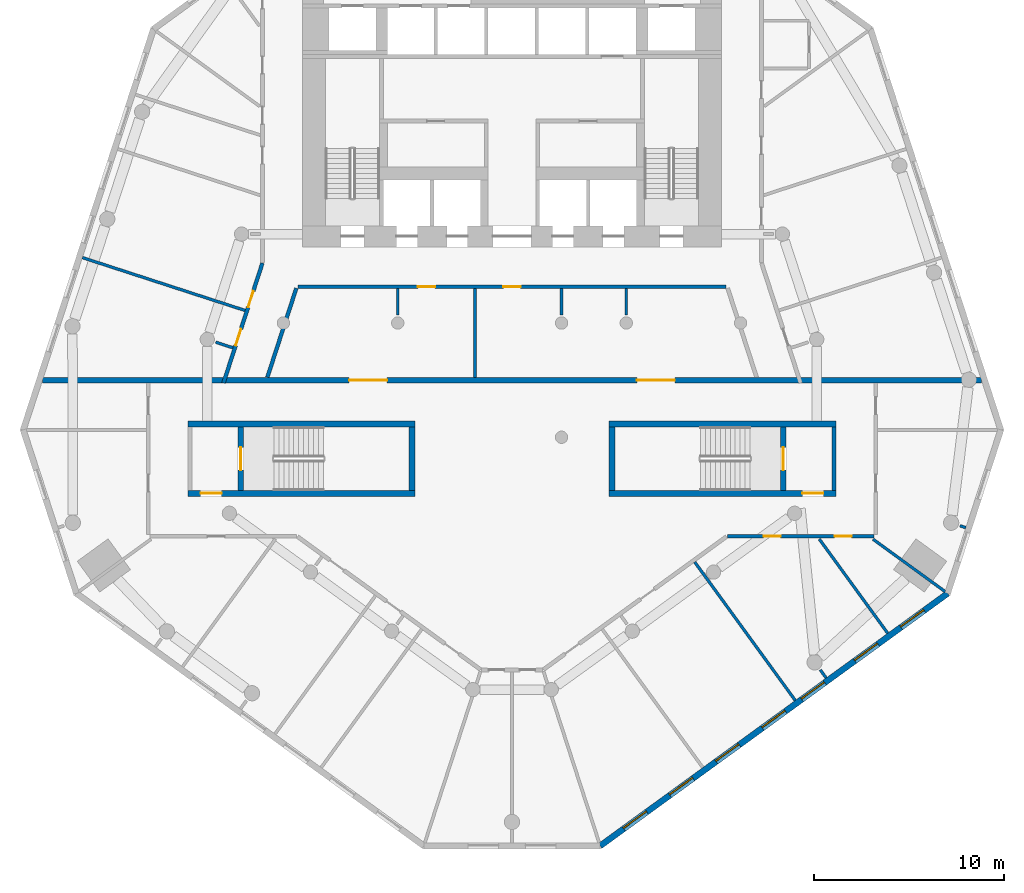
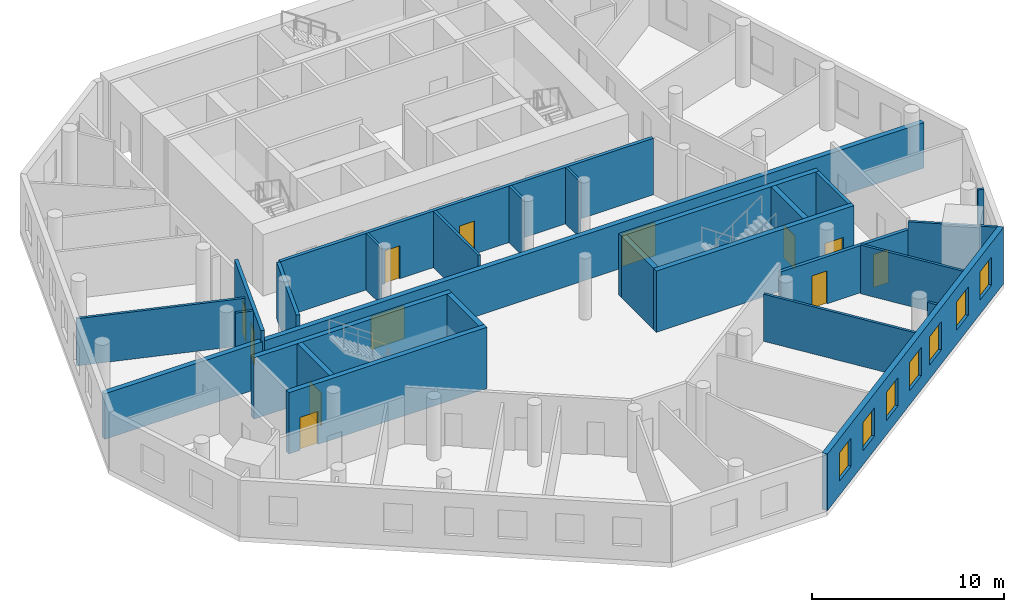
# One storey, part 3 of 9: 26 walls, 12 doors, 7 windows, 19 openings.
"""IFC4 building model written with IfcOpenShell, lengths in metres."""

import ifcopenshell
import ifcopenshell.guid

model = None  # the IFC model being written
_history = None  # IfcOwnerHistory: only IFC2X3 demands one
_inside = {}  # id of a spatial element -> (the spatial element, [elements in it])
_under = {}  # id of a project, library or spatial element -> (it, [spatial elements below it])
_declared = {}  # id of a project -> (the project, [libraries it declares])
_typed = {}  # id of a type object -> (the type object, [elements of that type])
_made_of = {}  # id of a material, layer set ... -> (it, [elements and type objects made of it])


def new_model(schema):
    """Start an empty IFC model of exactly this schema.

    Asked for "IFC4X3", IfcOpenShell would pick the latest addendum, in which some entities
    have other attributes; the version numbers below select the first issue.
    IFC2X3 requires an IfcOwnerHistory on every rooted entity: one is made here for all.
    """
    global model, _history
    if schema == "IFC4X3":
        model = ifcopenshell.file(schema_version=(4, 3, 0, 0))
    else:
        model = ifcopenshell.file(schema=schema)
    _inside.clear()
    _under.clear()
    _declared.clear()
    _typed.clear()
    _made_of.clear()
    _history = None
    if model.schema == "IFC2X3":
        org = make("IfcOrganization", Name="unknown")
        user = make(
            "IfcPersonAndOrganization",
            ThePerson=make("IfcPerson", FamilyName="unknown"),
            TheOrganization=org,
        )
        app = make(
            "IfcApplication",
            ApplicationDeveloper=org,
            Version="unknown",
            ApplicationFullName="unknown",
            ApplicationIdentifier="unknown",
        )
        _history = make(
            "IfcOwnerHistory",
            OwningUser=user,
            OwningApplication=app,
            ChangeAction="ADDED",
            CreationDate=0,
        )
    return model


def make(cls, **values):
    """One entity of the class cls with the attributes given. An attribute that is None is left unset."""
    return model.create_entity(
        cls, **{name: value for name, value in values.items() if value is not None}
    )


def rooted(cls, **values):
    """An entity with a GlobalId (a new one), such as an element, a storey or a relation."""
    return make(cls, GlobalId=ifcopenshell.guid.new(), OwnerHistory=_history, **values)


def si_unit(unit_type, name, prefix=None):
    """IfcSIUnit, for example si_unit("LENGTHUNIT", "METRE", prefix="MILLI")."""
    return make("IfcSIUnit", UnitType=unit_type, Prefix=prefix, Name=name)


def assignment(units):
    """IfcUnitAssignment: the units of a project."""
    return None if units is None else make("IfcUnitAssignment", Units=units)


def point(xyz):
    """IfcCartesianPoint."""
    return None if xyz is None else make("IfcCartesianPoint", Coordinates=xyz)


def direction(xyz):
    """IfcDirection."""
    return None if xyz is None else make("IfcDirection", DirectionRatios=xyz)


def frame(location, z_axis=None, x_axis=None):
    """IfcAxis2Placement3D, a coordinate frame: its origin and axes. An axis left out is left unset."""
    return make(
        "IfcAxis2Placement3D",
        Location=point(location),
        Axis=direction(z_axis),
        RefDirection=direction(x_axis),
    )


def frame_2d(location, x_axis=None):
    """IfcAxis2Placement2D, a coordinate frame in the plane: its origin and x axis."""
    return make(
        "IfcAxis2Placement2D", Location=point(location), RefDirection=direction(x_axis)
    )


def origin():
    """The frame at (0, 0, 0) with its axes left unset."""
    return frame((0.0, 0.0, 0.0))


def place(relative_to, where):
    """IfcLocalPlacement: puts the frame where relative to a parent placement (None: the world)."""
    return make(
        "IfcLocalPlacement", PlacementRelTo=relative_to, RelativePlacement=where
    )


def context(
    kind, dimensions, precision=None, world=None, true_north=None, identifier=None
):
    """IfcGeometricRepresentationContext, for example the 3D "Model" context."""
    return make(
        "IfcGeometricRepresentationContext",
        ContextIdentifier=identifier,
        ContextType=kind,
        CoordinateSpaceDimension=dimensions,
        Precision=precision,
        WorldCoordinateSystem=world,
        TrueNorth=true_north,
    )


def subcontext(parent, identifier, kind, view, scale=None):
    """IfcGeometricRepresentationSubContext, for example "Body" below "Model"."""
    return make(
        "IfcGeometricRepresentationSubContext",
        ContextIdentifier=identifier,
        ContextType=kind,
        ParentContext=parent,
        TargetScale=scale,
        TargetView=view,
    )


def project(units=None, contexts=None):
    """IfcProject with its units and contexts."""
    return rooted(
        "IfcProject",
        Name="project",
        RepresentationContexts=contexts,
        UnitsInContext=assignment(units),
    )


def spatial(cls, under=None, at=None, **own):
    """A site, building, storey or space (cls), placed at a placement, below another one or the project."""
    s = rooted(cls, ObjectPlacement=at, **own)
    if under is not None:
        _under.setdefault(under.id(), (under, []))[1].append(s)
    return s


def profile(cls, at=None, kind="AREA", **sizes):
    """A parametric profile (cls). Its sizes go by their IFC names, for example OverallWidth=200.0."""
    return make(cls, ProfileType=kind, Position=at, **sizes)


def rectangle(**sizes):
    """IfcRectangleProfileDef."""
    return profile("IfcRectangleProfileDef", **sizes)


def extrude(swept, where, along, depth):
    """IfcExtrudedAreaSolid: the profile swept, set in the frame where, extruded along a direction by depth."""
    return make(
        "IfcExtrudedAreaSolid",
        SweptArea=swept,
        Position=where,
        ExtrudedDirection=direction(along),
        Depth=depth,
    )


def shape(context_of_items, identifier, shape_type, items):
    """IfcShapeRepresentation: the items that make up one representation, for example the "Body"."""
    return make(
        "IfcShapeRepresentation",
        ContextOfItems=context_of_items,
        RepresentationIdentifier=identifier,
        RepresentationType=shape_type,
        Items=items,
    )


def material(Name=None, Category=None):
    """IfcMaterial."""
    return make("IfcMaterial", Name=Name, Category=Category)


def layer(
    of_material, thickness, ventilated=None, Name=None, Category=None, Priority=None
):
    """IfcMaterialLayer: one layer of a wall or slab, of a material (None: an air gap)."""
    return make(
        "IfcMaterialLayer",
        Material=of_material,
        LayerThickness=thickness,
        IsVentilated=ventilated,
        Name=Name,
        Category=Category,
        Priority=Priority,
    )


def layer_set(layers, Name=None):
    """IfcMaterialLayerSet."""
    return make("IfcMaterialLayerSet", MaterialLayers=layers, LayerSetName=Name)


def made_of(thing, what):
    """Note that an element or type object is made of a material, layer set ...; save() writes the relation."""
    if what is not None:
        _made_of.setdefault(what.id(), (what, []))[1].append(thing)
    return thing


def type_object(cls, material=None, **own):
    """A type object (cls), such as IfcWallType, which elements share."""
    return made_of(rooted(cls, **own), material)


def element(
    cls,
    number,
    at=None,
    inside=None,
    cuts=None,
    type_object=None,
    material=None,
    context=None,
    identifier="Body",
    shape_type=None,
    held_by="IfcProductDefinitionShape",
    body=None,
    shapes=None,
    **own,
):
    """One element of the class cls, such as IfcWall. Its Tag is "e" and its number.

    at: its placement. inside: the storey or other place that contains it. cuts: it is an
    opening in that element (IfcRelVoidsElement). A single representation is given by context,
    identifier, shape_type and body (its items); several are given by shapes. held_by: the class
    of the entity that holds the representations. save() writes the other relations.
    """
    e = rooted(cls, Tag="e%d" % number, ObjectPlacement=at, **own)
    if body is not None:
        shapes = [shape(context, identifier, shape_type, body)]
    if shapes is not None:
        e.Representation = make(held_by, Representations=shapes)
    if inside is not None:
        _inside.setdefault(inside.id(), (inside, []))[1].append(e)
    if cuts is not None:
        rooted(
            "IfcRelVoidsElement", RelatingBuildingElement=cuts, RelatedOpeningElement=e
        )
    if type_object is not None:
        _typed.setdefault(type_object.id(), (type_object, []))[1].append(e)
    return made_of(e, material)


def fill(opening, filler):
    """IfcRelFillsElement: the door or window that sits in an opening."""
    return rooted(
        "IfcRelFillsElement",
        RelatingOpeningElement=opening,
        RelatedBuildingElement=filler,
    )


def aggregate(whole, parts):
    """IfcRelAggregates: a whole, such as a stair, and the parts it consists of."""
    return rooted("IfcRelAggregates", RelatingObject=whole, RelatedObjects=parts)


def save(model, path):
    """Write the relations noted so far, then the file.

    IfcRelAggregates (storeys below a building ...), IfcRelContainedInSpatialStructure (elements
    in a storey), IfcRelDefinesByType, IfcRelAssociatesMaterial and IfcRelDeclares: one each for
    every whole, place, type object, material and project.
    """
    for whole, parts in _under.values():
        aggregate(whole, parts)
    for where, things in _inside.values():
        rooted(
            "IfcRelContainedInSpatialStructure",
            RelatedElements=things,
            RelatingStructure=where,
        )
    for kind, things in _typed.values():
        rooted("IfcRelDefinesByType", RelatedObjects=things, RelatingType=kind)
    for what, things in _made_of.values():
        rooted("IfcRelAssociatesMaterial", RelatedObjects=things, RelatingMaterial=what)
    for by, libraries in _declared.values():
        rooted("IfcRelDeclares", RelatingContext=by, RelatedDefinitions=libraries)
    model.write(path)


model = new_model("IFC4")

# Units and contexts
model_context = context("Model", 3, precision=1e-05, world=origin(), true_north=direction((0.0, 1.0)))
body_context = subcontext(model_context, "Body", "Model", "MODEL_VIEW")
ifc_project = project(units=[si_unit("LENGTHUNIT", "METRE"), si_unit("AREAUNIT", "SQUARE_METRE"), si_unit("VOLUMEUNIT", "CUBIC_METRE"), si_unit("PLANEANGLEUNIT", "RADIAN"), si_unit("MASSUNIT", "GRAM", prefix="KILO")], contexts=[model_context])

# Site, building, storey
site_placement = place(None, origin())
site = spatial("IfcSite", under=ifc_project, at=site_placement, CompositionType="ELEMENT")
building_placement = place(site_placement, origin())
building = spatial("IfcBuilding", under=site, at=building_placement, Name="White Candle Pilgrim Tower", CompositionType="ELEMENT")
storey_placement = place(building_placement, frame((0.0, 0.0, 106.39990234375)))
storey = spatial("IfcBuildingStorey", under=building, at=storey_placement, Name="L23", CompositionType="ELEMENT", Elevation=106.39990234375)

# Wall
ifc_material_1 = material(Name="Concrete C60/75", Category="concrete")
ifc_layer_1 = layer(ifc_material_1, 0.199951171875)
ifc_layer_set_1 = layer_set([ifc_layer_1], Name="Core wall 200 mm Concrete C60/75")
wall_type_1 = type_object("IfcWallType", Name="Core wall 200 mm Concrete C60/75", PredefinedType="SHEAR", material=ifc_layer_set_1)
wall_1_placement = place(storey_placement, frame((86.89990234375, 58.199951171875, 0.0), z_axis=(0.0, 0.0, 1.0), x_axis=(0.0, 1.0, 0.0)))
element("IfcWall", 1, at=wall_1_placement, inside=storey, type_object=wall_type_1, Name="WL-L23-C08", PredefinedType="SHEAR", context=body_context, shape_type="SweptSolid", body=[
    extrude(rectangle(XDim=3.35009765625, YDim=0.199951171875, at=frame_2d((1.675048828125, 0.0))), origin(), (0.0, 0.0, 1.0), 3.900146484375),
])

# Wall, openings, doors
ifc_material_2 = material(Name="Gypsum board on steel studs", Category="steel")
ifc_layer_2 = layer(ifc_material_2, 0.199951171875)
ifc_layer_set_2 = layer_set([ifc_layer_2], Name="Corridor wall 200 mm EI 45")
wall_type_2 = type_object("IfcWallType", Name="Corridor wall 200 mm EI 45", PredefinedType="PARTITIONING", material=ifc_layer_set_2)
wall_2_placement = place(storey_placement, frame((54.850341796875, 63.85009765625, 0.0), z_axis=(0.0, 0.0, 1.0), x_axis=(0.309001809517, 0.951061450021, 0.0)))
wall_2 = element("IfcWall", 2, at=wall_2_placement, inside=storey, type_object=wall_type_2, Name="WL-L23-P002", PredefinedType="PARTITIONING", context=body_context, shape_type="SweptSolid", body=[
    extrude(rectangle(XDim=6.616943359375, YDim=0.199951171875, at=frame_2d((3.30859375, 0.0))), origin(), (0.0, 0.0, 1.0), 3.60009765625),
])
opening_1_placement = place(wall_2_placement, frame((2.076171875, 0.0, 0.0)))
opening_1 = element("IfcOpeningElement", 3, at=opening_1_placement, cuts=wall_2, Name="Opening T07-117", PredefinedType="OPENING", context=body_context, shape_type="SweptSolid", body=[
    extrude(rectangle(XDim=0.89990234375, YDim=2.10009765625, at=frame_2d((0.449951171875, 1.050048828125))), frame((0.0, 0.10986328125, 0.0), z_axis=(0.0, -1.0, 0.0), x_axis=(1.0, 0.0, 0.0)), (0.0, 0.0, 1.0), 0.219970703125),
])
opening_2_placement = place(wall_2_placement, frame((4.181884765625, 0.0, 0.0)))
opening_2 = element("IfcOpeningElement", 4, at=opening_2_placement, cuts=wall_2, Name="Opening T07-118", PredefinedType="OPENING", context=body_context, shape_type="SweptSolid", body=[
    extrude(rectangle(XDim=0.89990234375, YDim=2.10009765625, at=frame_2d((0.449951171875, 1.050048828125))), frame((0.0, 0.10986328125, 0.0), z_axis=(0.0, -1.0, 0.0), x_axis=(1.0, 0.0, 0.0)), (0.0, 0.0, 1.0), 0.219970703125),
])
ifc_material_3 = material(Name="Steel door leaf", Category="steel")
door_type_1 = type_object("IfcDoorType", Name="Fire door 900 x 2100 EI 30", OperationType="NOTDEFINED", PredefinedType="DOOR", material=ifc_material_3)
door_1_placement = place(opening_1_placement, origin())
door_1 = element("IfcDoor", 5, at=door_1_placement, inside=storey, type_object=door_type_1, Name="Door T07-117", OperationType="SINGLE_SWING_LEFT", OverallHeight=2.10009765625, OverallWidth=0.89990234375, PredefinedType="DOOR", context=body_context, shape_type="SweptSolid", body=[
    extrude(rectangle(XDim=0.89990234375, YDim=2.10009765625, at=frame_2d((0.449951171875, 1.050048828125))), frame((0.0, 0.02490234375, 0.0), z_axis=(0.0, -1.0, 0.0), x_axis=(1.0, 0.0, 0.0)), (0.0, 0.0, 1.0), 0.050048828125),
])
fill(opening_1, door_1)
door_2_placement = place(opening_2_placement, origin())
door_2 = element("IfcDoor", 6, at=door_2_placement, inside=storey, type_object=door_type_1, Name="Door T07-118", OperationType="SINGLE_SWING_RIGHT", OverallHeight=2.10009765625, OverallWidth=0.89990234375, PredefinedType="DOOR", context=body_context, shape_type="SweptSolid", body=[
    extrude(rectangle(XDim=0.89990234375, YDim=2.10009765625, at=frame_2d((0.449951171875, 1.050048828125))), frame((0.0, 0.02490234375, 0.0), z_axis=(0.0, -1.0, 0.0), x_axis=(1.0, 0.0, 0.0)), (0.0, 0.0, 1.0), 0.050048828125),
])
fill(opening_2, door_2)

wall_3_placement = place(storey_placement, frame((89.0, 55.800048828125, 0.0), z_axis=(0.0, 0.0, 1.0), x_axis=(-1.0, 0.0, 0.0)))
wall_3 = element("IfcWall", 7, at=wall_3_placement, inside=storey, type_object=wall_type_2, Name="WL-L23-P007", PredefinedType="PARTITIONING", context=body_context, shape_type="SweptSolid", body=[
    extrude(rectangle(XDim=7.68359375, YDim=0.199951171875, at=frame_2d((3.841796875, 0.0))), origin(), (0.0, 0.0, 1.0), 3.0),
])
opening_3_placement = place(wall_3_placement, frame((4.893310546875, 0.0, 0.0)))
opening_3 = element("IfcOpeningElement", 8, at=opening_3_placement, cuts=wall_3, Name="Opening T07-110", PredefinedType="OPENING", context=body_context, shape_type="SweptSolid", body=[
    extrude(rectangle(XDim=0.89990234375, YDim=2.10009765625, at=frame_2d((0.449951171875, 1.050048828125))), frame((0.0, 0.10986328125, 0.0), z_axis=(0.0, -1.0, 0.0), x_axis=(1.0, 0.0, 0.0)), (0.0, 0.0, 1.0), 0.219970703125),
])
opening_4_placement = place(wall_3_placement, frame((1.16162109375, 0.0, 0.0)))
opening_4 = element("IfcOpeningElement", 9, at=opening_4_placement, cuts=wall_3, Name="Opening T07-111", PredefinedType="OPENING", context=body_context, shape_type="SweptSolid", body=[
    extrude(rectangle(XDim=0.89990234375, YDim=2.10009765625, at=frame_2d((0.449951171875, 1.050048828125))), frame((0.0, 0.10986328125, 0.0), z_axis=(0.0, -1.0, 0.0), x_axis=(1.0, 0.0, 0.0)), (0.0, 0.0, 1.0), 0.219970703125),
])
door_3_placement = place(opening_3_placement, origin())
door_3 = element("IfcDoor", 10, at=door_3_placement, inside=storey, type_object=door_type_1, Name="Door T07-110", OperationType="SINGLE_SWING_RIGHT", OverallHeight=2.10009765625, OverallWidth=0.89990234375, PredefinedType="DOOR", context=body_context, shape_type="SweptSolid", body=[
    extrude(rectangle(XDim=0.89990234375, YDim=2.10009765625, at=frame_2d((0.449951171875, 1.050048828125))), frame((0.0, 0.02490234375, 0.0), z_axis=(0.0, -1.0, 0.0), x_axis=(1.0, 0.0, 0.0)), (0.0, 0.0, 1.0), 0.050048828125),
])
fill(opening_3, door_3)
door_4_placement = place(opening_4_placement, origin())
door_4 = element("IfcDoor", 11, at=door_4_placement, inside=storey, type_object=door_type_1, Name="Door T07-111", OperationType="SINGLE_SWING_LEFT", OverallHeight=2.10009765625, OverallWidth=0.89990234375, PredefinedType="DOOR", context=body_context, shape_type="SweptSolid", body=[
    extrude(rectangle(XDim=0.89990234375, YDim=2.10009765625, at=frame_2d((0.449951171875, 1.050048828125))), frame((0.0, 0.02490234375, 0.0), z_axis=(0.0, -1.0, 0.0), x_axis=(1.0, 0.0, 0.0)), (0.0, 0.0, 1.0), 0.050048828125),
])
fill(opening_4, door_4)

wall_4_placement = place(storey_placement, frame((81.22802734375, 68.89990234375, 0.0), z_axis=(0.0, 0.0, 1.0), x_axis=(-1.0, 0.0, 0.0)))
wall_4 = element("IfcWall", 12, at=wall_4_placement, inside=storey, type_object=wall_type_2, Name="WL-L23-P013", PredefinedType="PARTITIONING", context=body_context, shape_type="SweptSolid", body=[
    extrude(rectangle(XDim=22.4560546875, YDim=0.199951171875, at=frame_2d((11.22802734375, 0.0))), origin(), (0.0, 0.0, 1.0), 3.60009765625),
])
opening_5_placement = place(wall_4_placement, frame((10.778076171875, 0.0, 0.0)))
opening_5 = element("IfcOpeningElement", 13, at=opening_5_placement, cuts=wall_4, Name="Opening T07-128", PredefinedType="OPENING", context=body_context, shape_type="SweptSolid", body=[
    extrude(rectangle(XDim=0.89990234375, YDim=2.10009765625, at=frame_2d((0.449951171875, 1.050048828125))), frame((0.0, 0.10986328125, 0.0), z_axis=(0.0, -1.0, 0.0), x_axis=(1.0, 0.0, 0.0)), (0.0, 0.0, 1.0), 0.219970703125),
])
opening_6_placement = place(wall_4_placement, frame((15.269287109375, 0.0, 0.0)))
opening_6 = element("IfcOpeningElement", 14, at=opening_6_placement, cuts=wall_4, Name="Opening T07-129", PredefinedType="OPENING", context=body_context, shape_type="SweptSolid", body=[
    extrude(rectangle(XDim=0.89990234375, YDim=2.10009765625, at=frame_2d((0.449951171875, 1.050048828125))), frame((0.0, 0.10986328125, 0.0), z_axis=(0.0, -1.0, 0.0), x_axis=(1.0, 0.0, 0.0)), (0.0, 0.0, 1.0), 0.219970703125),
])
door_5_placement = place(opening_5_placement, origin())
door_5 = element("IfcDoor", 15, at=door_5_placement, inside=storey, type_object=door_type_1, Name="Door T07-128", OperationType="SINGLE_SWING_RIGHT", OverallHeight=2.10009765625, OverallWidth=0.89990234375, PredefinedType="DOOR", context=body_context, shape_type="SweptSolid", body=[
    extrude(rectangle(XDim=0.89990234375, YDim=2.10009765625, at=frame_2d((0.449951171875, 1.050048828125))), frame((0.0, 0.02490234375, 0.0), z_axis=(0.0, -1.0, 0.0), x_axis=(1.0, 0.0, 0.0)), (0.0, 0.0, 1.0), 0.050048828125),
])
fill(opening_5, door_5)
door_6_placement = place(opening_6_placement, origin())
door_6 = element("IfcDoor", 16, at=door_6_placement, inside=storey, type_object=door_type_1, Name="Door T07-129", OperationType="SINGLE_SWING_LEFT", OverallHeight=2.10009765625, OverallWidth=0.89990234375, PredefinedType="DOOR", context=body_context, shape_type="SweptSolid", body=[
    extrude(rectangle(XDim=0.89990234375, YDim=2.10009765625, at=frame_2d((0.449951171875, 1.050048828125))), frame((0.0, 0.02490234375, 0.0), z_axis=(0.0, -1.0, 0.0), x_axis=(1.0, 0.0, 0.0)), (0.0, 0.0, 1.0), 0.050048828125),
])
fill(opening_6, door_6)

# Wall
wall_5_placement = place(storey_placement, frame((58.6767578125, 68.830810546875, 0.0), z_axis=(0.0, 0.0, 1.0), x_axis=(-0.309031112369, -0.951051928965, 0.0)))
element("IfcWall", 17, at=wall_5_placement, inside=storey, type_object=wall_type_2, Name="WL-L23-P014", PredefinedType="PARTITIONING", context=body_context, shape_type="SweptSolid", body=[
    extrude(rectangle(XDim=4.921875, YDim=0.199951171875, at=frame_2d((2.4609375, 0.0))), origin(), (0.0, 0.0, 1.0), 3.60009765625),
])

# Wall, openings, windows
ifc_material_4 = material(Name="Precast concrete C40/50", Category="concrete")
ifc_layer_3 = layer(ifc_material_4, 0.320068359375)
ifc_layer_set_3 = layer_set([ifc_layer_3], Name="Facade wall EW1 precast concrete C40/50 pier wall with timber-lined reveals")
wall_type_3 = type_object("IfcWallType", Name="Facade wall EW1 precast concrete C40/50 pier wall with timber-lined reveals", PredefinedType="SOLIDWALL", material=ifc_layer_set_3)
wall_6_placement = place(storey_placement, frame((74.631103515625, 39.545166015625, 0.0), z_axis=(0.0, 0.0, 1.0), x_axis=(0.809019687389, 0.587781545659, 0.0)))
wall_6 = element("IfcWall", 18, at=wall_6_placement, inside=storey, type_object=wall_type_3, Name="Facade wall L23 SE", PredefinedType="SOLIDWALL", context=body_context, shape_type="SweptSolid", body=[
    extrude(rectangle(XDim=22.551513671875, YDim=0.320068359375, at=frame_2d((11.27587890625, 0.0))), origin(), (0.0, 0.0, 1.0), 3.60009765625),
])
opening_7_placement = place(wall_6_placement, frame((1.52587890625, 0.0, 0.89990234375)))
opening_7 = element("IfcOpeningElement", 19, at=opening_7_placement, cuts=wall_6, Name="Opening W1", PredefinedType="OPENING", context=body_context, shape_type="SweptSolid", body=[
    extrude(rectangle(XDim=1.5, YDim=1.800048828125, at=frame_2d((0.75, 0.89990234375))), frame((0.0, 0.169921875, 0.0), z_axis=(0.0, -1.0, 0.0), x_axis=(1.0, 0.0, 0.0)), (0.0, 0.0, 1.0), 0.340087890625),
])
opening_8_placement = place(wall_6_placement, frame((4.52587890625, 0.0, 0.89990234375)))
opening_8 = element("IfcOpeningElement", 20, at=opening_8_placement, cuts=wall_6, Name="Opening W1", PredefinedType="OPENING", context=body_context, shape_type="SweptSolid", body=[
    extrude(rectangle(XDim=1.5, YDim=1.800048828125, at=frame_2d((0.75, 0.89990234375))), frame((0.0, 0.169921875, 0.0), z_axis=(0.0, -1.0, 0.0), x_axis=(1.0, 0.0, 0.0)), (0.0, 0.0, 1.0), 0.340087890625),
])
opening_9_placement = place(wall_6_placement, frame((7.52587890625, 0.0, 0.89990234375)))
opening_9 = element("IfcOpeningElement", 21, at=opening_9_placement, cuts=wall_6, Name="Opening W1", PredefinedType="OPENING", context=body_context, shape_type="SweptSolid", body=[
    extrude(rectangle(XDim=1.5, YDim=1.800048828125, at=frame_2d((0.75, 0.89990234375))), frame((0.0, 0.169921875, 0.0), z_axis=(0.0, -1.0, 0.0), x_axis=(1.0, 0.0, 0.0)), (0.0, 0.0, 1.0), 0.340087890625),
])
opening_10_placement = place(wall_6_placement, frame((10.52587890625, 0.0, 0.89990234375)))
opening_10 = element("IfcOpeningElement", 22, at=opening_10_placement, cuts=wall_6, Name="Opening W1", PredefinedType="OPENING", context=body_context, shape_type="SweptSolid", body=[
    extrude(rectangle(XDim=1.5, YDim=1.800048828125, at=frame_2d((0.75, 0.89990234375))), frame((0.0, 0.169921875, 0.0), z_axis=(0.0, -1.0, 0.0), x_axis=(1.0, 0.0, 0.0)), (0.0, 0.0, 1.0), 0.340087890625),
])
opening_11_placement = place(wall_6_placement, frame((13.075927734375, 0.0, 0.89990234375)))
opening_11 = element("IfcOpeningElement", 23, at=opening_11_placement, cuts=wall_6, Name="Opening W1", PredefinedType="OPENING", context=body_context, shape_type="SweptSolid", body=[
    extrude(rectangle(XDim=1.5, YDim=1.800048828125, at=frame_2d((0.75, 0.89990234375))), frame((0.0, 0.169921875, 0.0), z_axis=(0.0, -1.0, 0.0), x_axis=(1.0, 0.0, 0.0)), (0.0, 0.0, 1.0), 0.340087890625),
])
opening_12_placement = place(wall_6_placement, frame((16.52587890625, 0.0, 0.89990234375)))
opening_12 = element("IfcOpeningElement", 24, at=opening_12_placement, cuts=wall_6, Name="Opening W1", PredefinedType="OPENING", context=body_context, shape_type="SweptSolid", body=[
    extrude(rectangle(XDim=1.5, YDim=1.800048828125, at=frame_2d((0.75, 0.89990234375))), frame((0.0, 0.169921875, 0.0), z_axis=(0.0, -1.0, 0.0), x_axis=(1.0, 0.0, 0.0)), (0.0, 0.0, 1.0), 0.340087890625),
])
opening_13_placement = place(wall_6_placement, frame((19.52587890625, 0.0, 0.89990234375)))
opening_13 = element("IfcOpeningElement", 25, at=opening_13_placement, cuts=wall_6, Name="Opening W1", PredefinedType="OPENING", context=body_context, shape_type="SweptSolid", body=[
    extrude(rectangle(XDim=1.5, YDim=1.800048828125, at=frame_2d((0.75, 0.89990234375))), frame((0.0, 0.169921875, 0.0), z_axis=(0.0, -1.0, 0.0), x_axis=(1.0, 0.0, 0.0)), (0.0, 0.0, 1.0), 0.340087890625),
])
ifc_material_5 = material(Name="Timber frame with triple glazing", Category="wood")
window_type = type_object("IfcWindowType", Name="Window W1 1500x1800 timber frame triple glazing", PartitioningType="SINGLE_PANEL", PredefinedType="WINDOW", material=ifc_material_5)
window_1_placement = place(opening_7_placement, origin())
window_1 = element("IfcWindow", 26, at=window_1_placement, inside=storey, type_object=window_type, Name="Window W1 L23 SE 1", OverallHeight=1.800048828125, OverallWidth=1.5, PartitioningType="SINGLE_PANEL", PredefinedType="WINDOW", context=body_context, shape_type="SweptSolid", body=[
    extrude(rectangle(XDim=1.5, YDim=1.800048828125, at=frame_2d((0.75, 0.89990234375))), frame((0.0, 0.070068359375, 0.0), z_axis=(0.0, -1.0, 0.0), x_axis=(1.0, 0.0, 0.0)), (0.0, 0.0, 1.0), 0.06005859375),
])
fill(opening_7, window_1)
window_2_placement = place(opening_8_placement, origin())
window_2 = element("IfcWindow", 27, at=window_2_placement, inside=storey, type_object=window_type, Name="Window W1 L23 SE 2", OverallHeight=1.800048828125, OverallWidth=1.5, PartitioningType="SINGLE_PANEL", PredefinedType="WINDOW", context=body_context, shape_type="SweptSolid", body=[
    extrude(rectangle(XDim=1.5, YDim=1.800048828125, at=frame_2d((0.75, 0.89990234375))), frame((0.0, 0.070068359375, 0.0), z_axis=(0.0, -1.0, 0.0), x_axis=(1.0, 0.0, 0.0)), (0.0, 0.0, 1.0), 0.06005859375),
])
fill(opening_8, window_2)
window_3_placement = place(opening_9_placement, origin())
window_3 = element("IfcWindow", 28, at=window_3_placement, inside=storey, type_object=window_type, Name="Window W1 L23 SE 3", OverallHeight=1.800048828125, OverallWidth=1.5, PartitioningType="SINGLE_PANEL", PredefinedType="WINDOW", context=body_context, shape_type="SweptSolid", body=[
    extrude(rectangle(XDim=1.5, YDim=1.800048828125, at=frame_2d((0.75, 0.89990234375))), frame((0.0, 0.070068359375, 0.0), z_axis=(0.0, -1.0, 0.0), x_axis=(1.0, 0.0, 0.0)), (0.0, 0.0, 1.0), 0.06005859375),
])
fill(opening_9, window_3)
window_4_placement = place(opening_10_placement, origin())
window_4 = element("IfcWindow", 29, at=window_4_placement, inside=storey, type_object=window_type, Name="Window W1 L23 SE 4", OverallHeight=1.800048828125, OverallWidth=1.5, PartitioningType="SINGLE_PANEL", PredefinedType="WINDOW", context=body_context, shape_type="SweptSolid", body=[
    extrude(rectangle(XDim=1.5, YDim=1.800048828125, at=frame_2d((0.75, 0.89990234375))), frame((0.0, 0.070068359375, 0.0), z_axis=(0.0, -1.0, 0.0), x_axis=(1.0, 0.0, 0.0)), (0.0, 0.0, 1.0), 0.06005859375),
])
fill(opening_10, window_4)
window_5_placement = place(opening_11_placement, origin())
window_5 = element("IfcWindow", 30, at=window_5_placement, inside=storey, type_object=window_type, Name="Window W1 L23 SE 5", OverallHeight=1.800048828125, OverallWidth=1.5, PartitioningType="SINGLE_PANEL", PredefinedType="WINDOW", context=body_context, shape_type="SweptSolid", body=[
    extrude(rectangle(XDim=1.5, YDim=1.800048828125, at=frame_2d((0.75, 0.89990234375))), frame((0.0, 0.070068359375, 0.0), z_axis=(0.0, -1.0, 0.0), x_axis=(1.0, 0.0, 0.0)), (0.0, 0.0, 1.0), 0.06005859375),
])
fill(opening_11, window_5)
window_6_placement = place(opening_12_placement, origin())
window_6 = element("IfcWindow", 31, at=window_6_placement, inside=storey, type_object=window_type, Name="Window W1 L23 SE 6", OverallHeight=1.800048828125, OverallWidth=1.5, PartitioningType="SINGLE_PANEL", PredefinedType="WINDOW", context=body_context, shape_type="SweptSolid", body=[
    extrude(rectangle(XDim=1.5, YDim=1.800048828125, at=frame_2d((0.75, 0.89990234375))), frame((0.0, 0.070068359375, 0.0), z_axis=(0.0, -1.0, 0.0), x_axis=(1.0, 0.0, 0.0)), (0.0, 0.0, 1.0), 0.06005859375),
])
fill(opening_12, window_6)
window_7_placement = place(opening_13_placement, origin())
window_7 = element("IfcWindow", 32, at=window_7_placement, inside=storey, type_object=window_type, Name="Window W1 L23 SE 7", OverallHeight=1.800048828125, OverallWidth=1.5, PartitioningType="SINGLE_PANEL", PredefinedType="WINDOW", context=body_context, shape_type="SweptSolid", body=[
    extrude(rectangle(XDim=1.5, YDim=1.800048828125, at=frame_2d((0.75, 0.89990234375))), frame((0.0, 0.070068359375, 0.0), z_axis=(0.0, -1.0, 0.0), x_axis=(1.0, 0.0, 0.0)), (0.0, 0.0, 1.0), 0.06005859375),
])
fill(opening_13, window_7)

# Wall, openings, doors
ifc_material_6 = material(Name="Aerated concrete block", Category="concrete")
ifc_layer_4 = layer(ifc_material_6, 0.300048828125)
ifc_layer_set_4 = layer_set([ifc_layer_4], Name="Fire wall 300 mm REI 240")
wall_type_4 = type_object("IfcWallType", Name="Fire wall 300 mm REI 240", PredefinedType="PARTITIONING", material=ifc_layer_set_4)
wall_7_placement = place(storey_placement, frame((45.351806640625, 64.0, 0.0), z_axis=(0.0, 0.0, 1.0), x_axis=(1.0, 0.0, 0.0)))
wall_7 = element("IfcWall", 33, at=wall_7_placement, inside=storey, type_object=wall_type_4, Name="WL-L23-P001", PredefinedType="PARTITIONING", context=body_context, shape_type="SweptSolid", body=[
    extrude(rectangle(XDim=49.29638671875, YDim=0.300048828125, at=frame_2d((24.648193359375, 0.0))), origin(), (0.0, 0.0, 1.0), 2.900146484375),
])
opening_14_placement = place(wall_7_placement, frame((16.09765625, 0.0, 0.0)))
opening_14 = element("IfcOpeningElement", 34, at=opening_14_placement, cuts=wall_7, Name="Opening T07-114", PredefinedType="OPENING", context=body_context, shape_type="SweptSolid", body=[
    extrude(rectangle(XDim=2.0, YDim=2.10009765625, at=frame_2d((1.0, 1.050048828125))), frame((0.0, 0.159912109375, 0.0), z_axis=(0.0, -1.0, 0.0), x_axis=(1.0, 0.0, 0.0)), (0.0, 0.0, 1.0), 0.320068359375),
])
opening_15_placement = place(wall_7_placement, frame((31.19873046875, 0.0, 0.0)))
opening_15 = element("IfcOpeningElement", 35, at=opening_15_placement, cuts=wall_7, Name="Opening T07-115", PredefinedType="OPENING", context=body_context, shape_type="SweptSolid", body=[
    extrude(rectangle(XDim=2.0, YDim=2.10009765625, at=frame_2d((1.0, 1.050048828125))), frame((0.0, 0.159912109375, 0.0), z_axis=(0.0, -1.0, 0.0), x_axis=(1.0, 0.0, 0.0)), (0.0, 0.0, 1.0), 0.320068359375),
])
door_type_2 = type_object("IfcDoorType", Name="Fire door 2000 x 2100 EI 60", OperationType="NOTDEFINED", PredefinedType="DOOR", material=ifc_material_3)
door_7_placement = place(opening_14_placement, origin())
door_7 = element("IfcDoor", 36, at=door_7_placement, inside=storey, type_object=door_type_2, Name="Door T07-114", OperationType="DOUBLE_DOOR_SINGLE_SWING", OverallHeight=2.10009765625, OverallWidth=2.0, PredefinedType="DOOR", context=body_context, shape_type="SweptSolid", body=[
    extrude(rectangle(XDim=2.0, YDim=2.10009765625, at=frame_2d((1.0, 1.050048828125))), frame((0.0, 0.02490234375, 0.0), z_axis=(0.0, -1.0, 0.0), x_axis=(1.0, 0.0, 0.0)), (0.0, 0.0, 1.0), 0.050048828125),
])
fill(opening_14, door_7)
door_8_placement = place(opening_15_placement, origin())
door_8 = element("IfcDoor", 37, at=door_8_placement, inside=storey, type_object=door_type_2, Name="Door T07-115", OperationType="DOUBLE_DOOR_SINGLE_SWING", OverallHeight=2.10009765625, OverallWidth=2.0, PredefinedType="DOOR", context=body_context, shape_type="SweptSolid", body=[
    extrude(rectangle(XDim=2.0, YDim=2.10009765625, at=frame_2d((1.0, 1.050048828125))), frame((0.0, 0.02490234375, 0.0), z_axis=(0.0, -1.0, 0.0), x_axis=(1.0, 0.0, 0.0)), (0.0, 0.0, 1.0), 0.050048828125),
])
fill(opening_15, door_8)

# Walls
ifc_layer_5 = layer(ifc_material_2, 0.14990234375)
ifc_layer_set_5 = layer_set([ifc_layer_5], Name="Partition 150 mm EI 60")
wall_type_5 = type_object("IfcWallType", Name="Partition 150 mm EI 60", PredefinedType="PARTITIONING", material=ifc_layer_set_5)
wall_8_placement = place(storey_placement, frame((92.739501953125, 52.8994140625, 0.0), z_axis=(0.0, 0.0, 1.0), x_axis=(-0.808989118663, 0.587823618005, 0.0)))
element("IfcWall", 38, at=wall_8_placement, inside=storey, type_object=wall_type_5, Name="WL-L23-P021", PredefinedType="PARTITIONING", context=body_context, shape_type="SweptSolid", body=[
    extrude(rectangle(XDim=4.671630859375, YDim=0.14990234375, at=frame_2d((2.3359375, 0.0))), origin(), (0.0, 0.0, 1.0), 3.60009765625),
])
for number, where, z_axis, x_axis, name in (
    (39, (47.442138671875, 70.433837890625, 0.0), (0.0, 0.0, 1.0), (0.951059239389, -0.309008613427, 0.0), "WL-L23-P027"),
    (40, (84.872802734375, 47.18408203125, 0.0), (0.0, 0.0, 1.0), (-0.587790127827, 0.809013452069, 0.0), "WL-L23-P033"),
):
    element("IfcWall", number, at=place(storey_placement, frame(where, z_axis=z_axis, x_axis=x_axis)), inside=storey, type_object=wall_type_5, Name=name, PredefinedType="PARTITIONING", context=body_context, shape_type="SweptSolid", body=[
        extrude(rectangle(XDim=8.97998046875, YDim=0.14990234375, at=frame_2d((4.489990234375, 0.0))), origin(), (0.0, 0.0, 1.0), 3.0),
    ])
wall_9_placement = place(storey_placement, frame((89.72705078125, 50.710693359375, 0.0), z_axis=(0.0, 0.0, 1.0), x_axis=(-0.587789292406, 0.809014059045, 0.0)))
element("IfcWall", 41, at=wall_9_placement, inside=storey, type_object=wall_type_5, Name="WL-L23-P034", PredefinedType="PARTITIONING", context=body_context, shape_type="SweptSolid", body=[
    extrude(rectangle(XDim=6.11279296875, YDim=0.14990234375, at=frame_2d((3.056396484375, 0.0))), origin(), (0.0, 0.0, 1.0), 3.10009765625),
])
wall_10_placement = place(storey_placement, frame((68.053466796875, 64.14990234375, 0.0), z_axis=(0.0, 0.0, 1.0), x_axis=(0.0, 1.0, 0.0)))
element("IfcWall", 42, at=wall_10_placement, inside=storey, type_object=wall_type_5, Name="WL-L23-P040", PredefinedType="PARTITIONING", context=body_context, shape_type="SweptSolid", body=[
    extrude(rectangle(XDim=4.650146484375, YDim=0.14990234375, at=frame_2d((2.3251953125, 0.0))), origin(), (0.0, 0.0, 1.0), 3.60009765625),
])
wall_11_placement = place(storey_placement, frame((86.18603515625, 48.78955078125, 0.0), z_axis=(0.0, 0.0, 1.0), x_axis=(0.5877034691, -0.809076407027, 0.0)))
element("IfcWall", 43, at=wall_11_placement, inside=storey, type_object=wall_type_5, Name="WL-L23-P044", PredefinedType="PARTITIONING", context=body_context, shape_type="SweptSolid", body=[
    extrude(rectangle(XDim=0.527099609375, YDim=0.14990234375, at=frame_2d((0.263671875, 0.0))), origin(), (0.0, 0.0, 1.0), 3.60009765625),
])
wall_12_placement = place(storey_placement, frame((93.52490234375, 56.35498046875, 0.0), z_axis=(0.0, 0.0, 1.0), x_axis=(0.950866223674, -0.309602042428, 0.0)))
element("IfcWall", 44, at=wall_12_placement, inside=storey, type_object=wall_type_5, Name="WL-L23-P045", PredefinedType="PARTITIONING", context=body_context, shape_type="SweptSolid", body=[
    extrude(rectangle(XDim=0.321044921875, YDim=0.14990234375, at=frame_2d((0.16064453125, 0.0))), origin(), (0.0, 0.0, 1.0), 3.60009765625),
])
wall_13_placement = place(storey_placement, frame((54.441162109375, 65.992919921875, 0.0), z_axis=(0.0, 0.0, 1.0), x_axis=(0.951068009431, -0.308981619901, 0.0)))
element("IfcWall", 45, at=wall_13_placement, inside=storey, type_object=wall_type_5, Name="WL-L23-P052", PredefinedType="PARTITIONING", context=body_context, shape_type="SweptSolid", body=[
    extrude(rectangle(XDim=0.951416015625, YDim=0.14990234375, at=frame_2d((0.4755859375, 0.0))), origin(), (0.0, 0.0, 1.0), 3.60009765625),
])
for number, where, z_axis, x_axis, name in (
    (46, (63.997802734375, 67.4150390625, 0.0), (0.0, 0.0, 1.0), (0.0, 1.0, 0.0), "WL-L23-P053"),
    (47, (72.59765625, 67.4150390625, 0.0), (0.0, 0.0, 1.0), (0.0, 1.0, 0.0), "WL-L23-P054"),
    (48, (75.997802734375, 67.4150390625, 0.0), (0.0, 0.0, 1.0), (0.0, 1.0, 0.0), "WL-L23-P055"),
):
    element("IfcWall", number, at=place(storey_placement, frame(where, z_axis=z_axis, x_axis=x_axis)), inside=storey, type_object=wall_type_5, Name=name, PredefinedType="PARTITIONING", context=body_context, shape_type="SweptSolid", body=[
        extrude(rectangle(XDim=1.385009765625, YDim=0.14990234375, at=frame_2d((0.6923828125, 0.0))), origin(), (0.0, 0.0, 1.0), 3.60009765625),
    ])

# Wall, opening, door
ifc_layer_6 = layer(ifc_material_1, 0.300048828125)
ifc_layer_set_6 = layer_set([ifc_layer_6], Name="Stair shaft wall 300 mm Concrete C60/75")
wall_type_6 = type_object("IfcWallType", Name="Stair shaft wall 300 mm Concrete C60/75", PredefinedType="SHEAR", material=ifc_layer_set_6)
wall_14_placement = place(storey_placement, frame((53.0, 58.050048828125, 0.0), z_axis=(0.0, 0.0, 1.0), x_axis=(1.0, 0.0, 0.0)))
wall_14 = element("IfcWall", 49, at=wall_14_placement, inside=storey, type_object=wall_type_6, Name="WL-L23-C01", PredefinedType="SHEAR", context=body_context, shape_type="SweptSolid", body=[
    extrude(rectangle(XDim=11.89990234375, YDim=0.300048828125, at=frame_2d((5.949951171875, 0.0))), origin(), (0.0, 0.0, 1.0), 3.900146484375),
])
opening_16_placement = place(wall_14_placement, frame((0.64990234375, 0.0, 0.0)))
opening_16 = element("IfcOpeningElement", 50, at=opening_16_placement, cuts=wall_14, Name="Opening T07-007", PredefinedType="OPENING", context=body_context, shape_type="SweptSolid", body=[
    extrude(rectangle(XDim=1.10009765625, YDim=2.10009765625, at=frame_2d((0.550048828125, 1.050048828125))), frame((0.0, 0.159912109375, 0.0), z_axis=(0.0, -1.0, 0.0), x_axis=(1.0, 0.0, 0.0)), (0.0, 0.0, 1.0), 0.320068359375),
])
door_type_3 = type_object("IfcDoorType", Name="Fire door 1100 x 2100 EI 60", OperationType="NOTDEFINED", PredefinedType="DOOR", material=ifc_material_3)
door_9_placement = place(opening_16_placement, origin())
door_9 = element("IfcDoor", 51, at=door_9_placement, inside=storey, type_object=door_type_3, Name="Door T07-007", OperationType="SINGLE_SWING_LEFT", OverallHeight=2.10009765625, OverallWidth=1.10009765625, PredefinedType="DOOR", context=body_context, shape_type="SweptSolid", body=[
    extrude(rectangle(XDim=1.10009765625, YDim=2.10009765625, at=frame_2d((0.550048828125, 1.050048828125))), frame((0.0, 0.02490234375, 0.0), z_axis=(0.0, -1.0, 0.0), x_axis=(1.0, 0.0, 0.0)), (0.0, 0.0, 1.0), 0.050048828125),
])
fill(opening_16, door_9)

wall_15_placement = place(storey_placement, frame((75.10009765625, 58.050048828125, 0.0), z_axis=(0.0, 0.0, 1.0), x_axis=(1.0, 0.0, 0.0)))
wall_15 = element("IfcWall", 52, at=wall_15_placement, inside=storey, type_object=wall_type_6, Name="WL-L23-C02", PredefinedType="SHEAR", context=body_context, shape_type="SweptSolid", body=[
    extrude(rectangle(XDim=11.89990234375, YDim=0.300048828125, at=frame_2d((5.949951171875, 0.0))), origin(), (0.0, 0.0, 1.0), 3.900146484375),
])
opening_17_placement = place(wall_15_placement, frame((10.14990234375, 0.0, 0.0)))
opening_17 = element("IfcOpeningElement", 53, at=opening_17_placement, cuts=wall_15, Name="Opening T07-009", PredefinedType="OPENING", context=body_context, shape_type="SweptSolid", body=[
    extrude(rectangle(XDim=1.10009765625, YDim=2.10009765625, at=frame_2d((0.550048828125, 1.050048828125))), frame((0.0, 0.159912109375, 0.0), z_axis=(0.0, -1.0, 0.0), x_axis=(1.0, 0.0, 0.0)), (0.0, 0.0, 1.0), 0.320068359375),
])
door_10_placement = place(opening_17_placement, origin())
door_10 = element("IfcDoor", 54, at=door_10_placement, inside=storey, type_object=door_type_3, Name="Door T07-009", OperationType="SINGLE_SWING_LEFT", OverallHeight=2.10009765625, OverallWidth=1.10009765625, PredefinedType="DOOR", context=body_context, shape_type="SweptSolid", body=[
    extrude(rectangle(XDim=1.10009765625, YDim=2.10009765625, at=frame_2d((0.550048828125, 1.050048828125))), frame((0.0, 0.02490234375, 0.0), z_axis=(0.0, -1.0, 0.0), x_axis=(1.0, 0.0, 0.0)), (0.0, 0.0, 1.0), 0.050048828125),
])
fill(opening_17, door_10)

wall_16_placement = place(storey_placement, frame((55.75, 58.199951171875, 0.0), z_axis=(0.0, 0.0, 1.0), x_axis=(0.0, 1.0, 0.0)))
wall_16 = element("IfcWall", 55, at=wall_16_placement, inside=storey, type_object=wall_type_6, Name="WL-L23-C04", PredefinedType="SHEAR", context=body_context, shape_type="SweptSolid", body=[
    extrude(rectangle(XDim=3.35009765625, YDim=0.300048828125, at=frame_2d((1.675048828125, 0.0))), origin(), (0.0, 0.0, 1.0), 3.900146484375),
])
opening_18_placement = place(wall_16_placement, frame((1.074951171875, 0.0, 0.0)))
opening_18 = element("IfcOpeningElement", 56, at=opening_18_placement, cuts=wall_16, Name="Opening T07-008", PredefinedType="OPENING", context=body_context, shape_type="SweptSolid", body=[
    extrude(rectangle(XDim=1.199951171875, YDim=2.10009765625, at=frame_2d((0.60009765625, 1.050048828125))), frame((0.0, 0.159912109375, 0.0), z_axis=(0.0, -1.0, 0.0), x_axis=(1.0, 0.0, 0.0)), (0.0, 0.0, 1.0), 0.320068359375),
])
door_type_4 = type_object("IfcDoorType", Name="Fire door 1200 x 2100 EI 60", OperationType="NOTDEFINED", PredefinedType="DOOR", material=ifc_material_3)
door_11_placement = place(opening_18_placement, frame((1.199951171875, 0.0, 0.0), z_axis=(0.0, 0.0, 1.0), x_axis=(-1.0, 0.0, 0.0)))
door_11 = element("IfcDoor", 57, at=door_11_placement, inside=storey, type_object=door_type_4, Name="Door T07-008", OperationType="SINGLE_SWING_LEFT", OverallHeight=2.10009765625, OverallWidth=1.199951171875, PredefinedType="DOOR", context=body_context, shape_type="SweptSolid", body=[
    extrude(rectangle(XDim=1.199951171875, YDim=2.10009765625, at=frame_2d((0.60009765625, 1.050048828125))), frame((0.0, 0.02490234375, 0.0), z_axis=(0.0, -1.0, 0.0), x_axis=(1.0, 0.0, 0.0)), (0.0, 0.0, 1.0), 0.050048828125),
])
fill(opening_18, door_11)

# Walls
for number, where, z_axis, x_axis, name in (
    (58, (64.75, 58.199951171875, 0.0), (0.0, 0.0, 1.0), (0.0, 1.0, 0.0), "WL-L23-C05"),
    (59, (75.25, 58.199951171875, 0.0), (0.0, 0.0, 1.0), (0.0, 1.0, 0.0), "WL-L23-C06"),
):
    element("IfcWall", number, at=place(storey_placement, frame(where, z_axis=z_axis, x_axis=x_axis)), inside=storey, type_object=wall_type_6, Name=name, PredefinedType="SHEAR", context=body_context, shape_type="SweptSolid", body=[
        extrude(rectangle(XDim=3.35009765625, YDim=0.300048828125, at=frame_2d((1.675048828125, 0.0))), origin(), (0.0, 0.0, 1.0), 3.900146484375),
    ])

# Wall, opening, door
wall_17_placement = place(storey_placement, frame((84.25, 58.199951171875, 0.0), z_axis=(0.0, 0.0, 1.0), x_axis=(0.0, 1.0, 0.0)))
wall_17 = element("IfcWall", 60, at=wall_17_placement, inside=storey, type_object=wall_type_6, Name="WL-L23-C07", PredefinedType="SHEAR", context=body_context, shape_type="SweptSolid", body=[
    extrude(rectangle(XDim=3.35009765625, YDim=0.300048828125, at=frame_2d((1.675048828125, 0.0))), origin(), (0.0, 0.0, 1.0), 3.900146484375),
])
opening_19_placement = place(wall_17_placement, frame((1.074951171875, 0.0, 0.0)))
opening_19 = element("IfcOpeningElement", 61, at=opening_19_placement, cuts=wall_17, Name="Opening T07-010", PredefinedType="OPENING", context=body_context, shape_type="SweptSolid", body=[
    extrude(rectangle(XDim=1.199951171875, YDim=2.10009765625, at=frame_2d((0.60009765625, 1.050048828125))), frame((0.0, 0.159912109375, 0.0), z_axis=(0.0, -1.0, 0.0), x_axis=(1.0, 0.0, 0.0)), (0.0, 0.0, 1.0), 0.320068359375),
])
door_12_placement = place(opening_19_placement, origin())
door_12 = element("IfcDoor", 62, at=door_12_placement, inside=storey, type_object=door_type_4, Name="Door T07-010", OperationType="SINGLE_SWING_RIGHT", OverallHeight=2.10009765625, OverallWidth=1.199951171875, PredefinedType="DOOR", context=body_context, shape_type="SweptSolid", body=[
    extrude(rectangle(XDim=1.199951171875, YDim=2.10009765625, at=frame_2d((0.60009765625, 1.050048828125))), frame((0.0, 0.02490234375, 0.0), z_axis=(0.0, -1.0, 0.0), x_axis=(1.0, 0.0, 0.0)), (0.0, 0.0, 1.0), 0.050048828125),
])
fill(opening_19, door_12)

# Walls
for number, where, z_axis, x_axis, name in (
    (63, (53.0, 61.699951171875, 0.0), (0.0, 0.0, 1.0), (1.0, 0.0, 0.0), "WL-L23-C09"),
    (64, (75.10009765625, 61.699951171875, 0.0), (0.0, 0.0, 1.0), (1.0, 0.0, 0.0), "WL-L23-C10"),
):
    element("IfcWall", number, at=place(storey_placement, frame(where, z_axis=z_axis, x_axis=x_axis)), inside=storey, type_object=wall_type_6, Name=name, PredefinedType="SHEAR", context=body_context, shape_type="SweptSolid", body=[
        extrude(rectangle(XDim=11.89990234375, YDim=0.300048828125, at=frame_2d((5.949951171875, 0.0))), origin(), (0.0, 0.0, 1.0), 3.900146484375),
    ])

save(model, "model.ifc")
